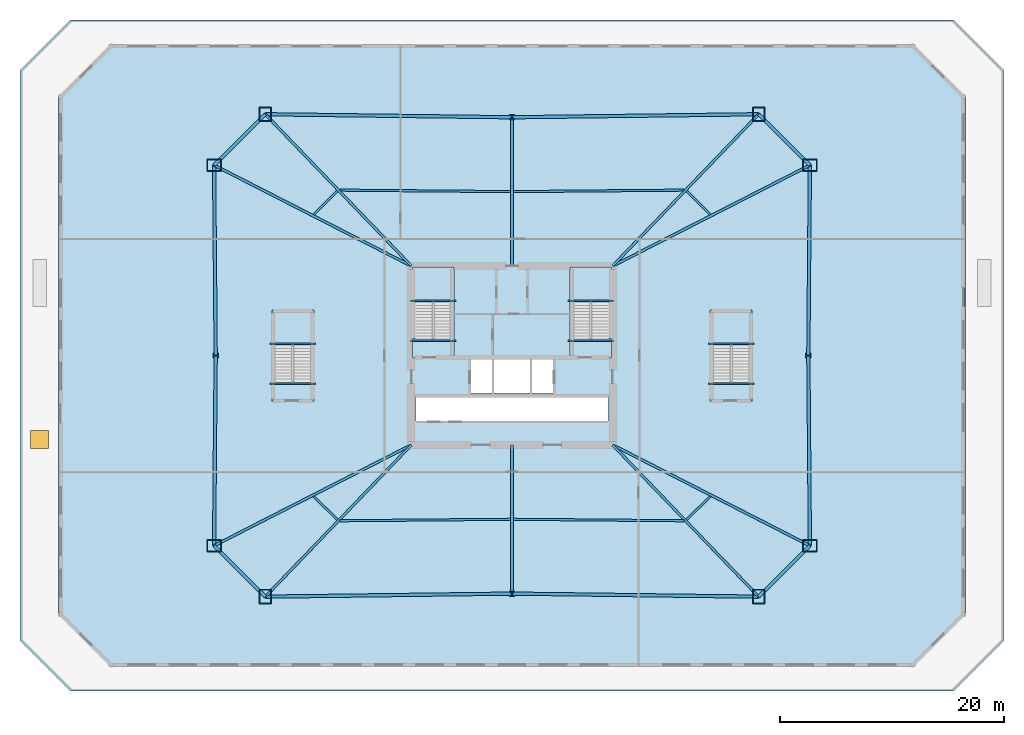
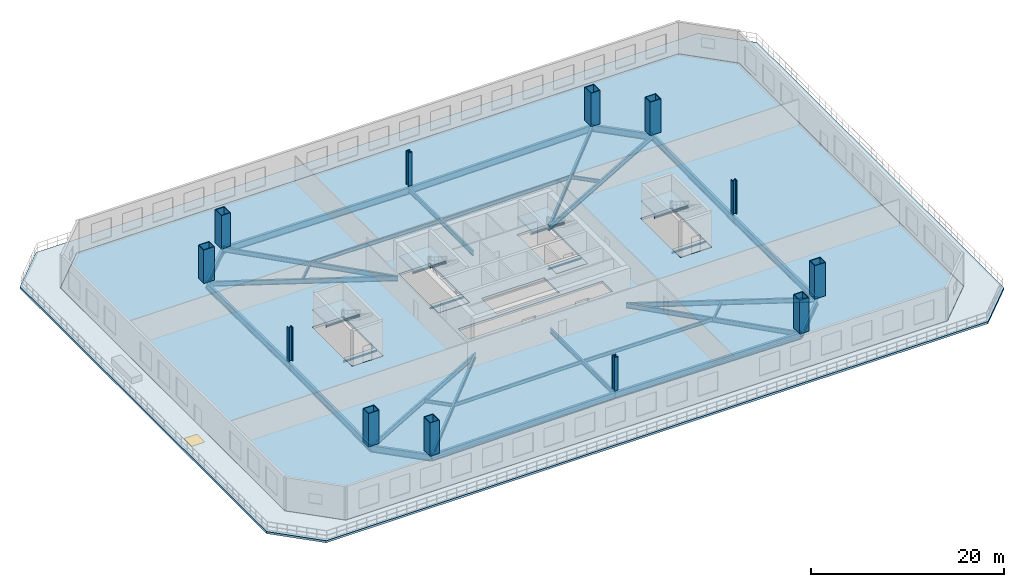
# One storey, part 1 of 9: 38 beams, 12 columns, 10 slabs, 1 window, 1 opening, 4 elements without a shape of their own.
"""IFC4 building model written with IfcOpenShell, lengths in metres."""

from ifc_helpers import new_model, si_unit, direction, frame, origin, origin_2d, place, context, subcontext, project, spatial, polyline, rectangle, hollow_rectangle, i_section, outline, extrude, material, layer, layer_set, material_profile, profile_set, type_object, element, fill, aggregate, save


model = new_model("IFC4")

# Units and contexts
model_context = context("Model", 3, precision=1e-05, world=origin(), true_north=direction((0.0, 1.0)))
body_context = subcontext(model_context, "Body", "Model", "MODEL_VIEW")
ifc_project = project(units=[si_unit("LENGTHUNIT", "METRE"), si_unit("AREAUNIT", "SQUARE_METRE"), si_unit("VOLUMEUNIT", "CUBIC_METRE"), si_unit("PLANEANGLEUNIT", "RADIAN"), si_unit("MASSUNIT", "GRAM", prefix="KILO")], contexts=[model_context])

# Site, building, storey
site_placement = place(None, origin())
site = spatial("IfcSite", under=ifc_project, at=site_placement, CompositionType="ELEMENT")
building_placement = place(site_placement, origin())
building = spatial("IfcBuilding", under=site, at=building_placement, Name="Caelvoria Tower", CompositionType="ELEMENT")
storey_placement = place(building_placement, frame((0.0, 0.0, 5.0)))
storey = spatial("IfcBuildingStorey", under=building, at=storey_placement, Name="L01", CompositionType="ELEMENT", Elevation=5.0)

# Columns
ifc_material_1 = material(Name="Structural Steel ASTM A913 Gr.65", Category="steel")
ifc_material_profile_1 = material_profile(ifc_material_1, i_section(OverallWidth=0.43896484375, OverallDepth=0.513916015625, WebThickness=0.059814453125, FlangeThickness=0.096923828125, FilletRadius=0.02490234375, at=origin_2d()), Name="Structural Steel ASTM A913 Gr.65")
ifc_profile_set_1 = profile_set([ifc_material_profile_1], Name="W360X818 - Structural Steel ASTM A913 Gr.65")
column_type_1 = type_object("IfcColumnType", Name="Heavy Frame Column W360X818", PredefinedType="COLUMN", material=ifc_profile_set_1)
for number, where, z_axis, x_axis, name in (
    (1, (46.0, 10.699951171875, 0.0), (0.0, 0.0, 1.0), (1.0, 0.0, 0.0), "Perimeter Megaframe Column L01-P01"),
    (2, (72.5, 32.0, 0.0), (0.0, 0.0, 1.0), (0.0, 1.0, 0.0), "Perimeter Megaframe Column L01-P04"),
    (3, (46.0, 53.300048828125, 0.0), (0.0, 0.0, 1.0), (1.0, 0.0, 0.0), "Perimeter Megaframe Column L01-P07"),
    (4, (19.5, 32.0, 0.0), (0.0, 0.0, 1.0), (0.0, 1.0, 0.0), "Perimeter Megaframe Column L01-P10"),
):
    element("IfcColumn", number, at=place(storey_placement, frame(where, z_axis=z_axis, x_axis=x_axis)), inside=storey, type_object=column_type_1, Name=name, PredefinedType="COLUMN", context=body_context, shape_type="SweptSolid", body=[
        extrude(i_section(OverallWidth=0.43896484375, OverallDepth=0.513916015625, WebThickness=0.059814453125, FlangeThickness=0.096923828125, FilletRadius=0.02490234375, at=origin_2d()), origin(), (0.0, 0.0, 1.0), 4.218017578125),
    ])
ifc_material_2 = material(Name="Structural Steel ASTM A572 Gr.50", Category="steel")
ifc_material_profile_2 = material_profile(ifc_material_2, hollow_rectangle(XDim=1.10009765625, YDim=1.300048828125, WallThickness=0.070068359375, at=origin_2d()), Name="Structural Steel ASTM A572 Gr.50")
ifc_profile_set_2 = profile_set([ifc_material_profile_2], Name="BOX1300X1100X70 - Structural Steel ASTM A572 Gr.50")
column_type_2 = type_object("IfcColumnType", Name="Mega Box Column 1300x1100x70", PredefinedType="COLUMN", material=ifc_profile_set_2)
for number, where, z_axis, x_axis, name in (
    (5, (23.943359375, 10.42919921875, 0.0), (0.0, 0.0, 1.0), (1.0, 0.0, 0.0), "Perimeter Megaframe Column L01-P00"),
    (6, (68.056640625, 10.42919921875, 0.0), (0.0, 0.0, 1.0), (1.0, 0.0, 0.0), "Perimeter Megaframe Column L01-P02"),
    (7, (72.6416015625, 14.984375, 0.0), (0.0, 0.0, 1.0), (0.0, 1.0, 0.0), "Perimeter Megaframe Column L01-P03"),
    (8, (72.6416015625, 49.015625, 0.0), (0.0, 0.0, 1.0), (0.0, 1.0, 0.0), "Perimeter Megaframe Column L01-P05"),
    (9, (68.056640625, 53.57080078125, 0.0), (0.0, 0.0, 1.0), (1.0, 0.0, 0.0), "Perimeter Megaframe Column L01-P06"),
    (10, (23.943359375, 53.57080078125, 0.0), (0.0, 0.0, 1.0), (1.0, 0.0, 0.0), "Perimeter Megaframe Column L01-P08"),
    (11, (19.3583984375, 49.015625, 0.0), (0.0, 0.0, 1.0), (0.0, 1.0, 0.0), "Perimeter Megaframe Column L01-P09"),
    (12, (19.3583984375, 14.984375, 0.0), (0.0, 0.0, 1.0), (0.0, 1.0, 0.0), "Perimeter Megaframe Column L01-P11"),
):
    element("IfcColumn", number, at=place(storey_placement, frame(where, z_axis=z_axis, x_axis=x_axis)), inside=storey, type_object=column_type_2, Name=name, PredefinedType="COLUMN", context=body_context, shape_type="SweptSolid", body=[
        extrude(hollow_rectangle(XDim=1.10009765625, YDim=1.300048828125, WallThickness=0.070068359375, at=origin_2d()), origin(), (0.0, 0.0, 1.0), 4.218017578125),
    ])

# Beams
ifc_material_3 = material(Name="Structural Steel ASTM A992 Gr.50", Category="steel")
ifc_material_profile_3 = material_profile(ifc_material_3, i_section(OverallWidth=0.134033203125, OverallDepth=0.2099609375, WebThickness=0.00634765625, FlangeThickness=0.01025390625, FilletRadius=0.010009765625, at=origin_2d()), Name="Structural Steel ASTM A992 Gr.50")
ifc_profile_set_3 = profile_set([ifc_material_profile_3], Name="W200X31.3 - Structural Steel ASTM A992 Gr.50")
beam_type_1 = type_object("IfcBeamType", Name="Canopy Edge Trim Beam W200X31.3", PredefinedType="BEAM", material=ifc_profile_set_3)
for number, where, z_axis, x_axis, name in (
    (13, (36.929931640625, 36.89990234375, 1.945068359375), (1.0, 0.0, 0.0), (0.0, 1.0, 0.0), "ST-01 Half-Landing Support Beam L01"),
    (14, (36.929931640625, 33.300048828125, -0.304931640625), (1.0, 0.0, 0.0), (0.0, 1.0, 0.0), "ST-01 Floor-Landing Support Beam L01"),
    (15, (51.030029296875, 36.89990234375, 1.945068359375), (1.0, 0.0, 0.0), (0.0, 1.0, 0.0), "ST-02 Half-Landing Support Beam L01"),
    (16, (51.030029296875, 33.300048828125, -0.304931640625), (1.0, 0.0, 0.0), (0.0, 1.0, 0.0), "ST-02 Floor-Landing Support Beam L01"),
    (17, (24.3798828125, 33.050048828125, 1.945068359375), (1.0, 0.0, 0.0), (0.0, 1.0, 0.0), "ST-03 Half-Landing Support Beam L01"),
    (18, (24.3798828125, 29.449951171875, -0.304931640625), (1.0, 0.0, 0.0), (0.0, 1.0, 0.0), "ST-03 Floor-Landing Support Beam L01"),
    (19, (63.580078125, 33.050048828125, 1.945068359375), (1.0, 0.0, 0.0), (0.0, 1.0, 0.0), "ST-04 Half-Landing Support Beam L01"),
    (20, (63.580078125, 29.449951171875, -0.304931640625), (1.0, 0.0, 0.0), (0.0, 1.0, 0.0), "ST-04 Floor-Landing Support Beam L01"),
):
    element("IfcBeam", number, at=place(storey_placement, frame(where, z_axis=z_axis, x_axis=x_axis)), inside=storey, type_object=beam_type_1, Name=name, PredefinedType="BEAM", context=body_context, shape_type="SweptSolid", body=[
        extrude(i_section(OverallWidth=0.134033203125, OverallDepth=0.2099609375, WebThickness=0.00634765625, FlangeThickness=0.01025390625, FilletRadius=0.010009765625, at=origin_2d()), origin(), (0.0, 0.0, 1.0), 4.0400390625),
    ])
ifc_material_profile_4 = material_profile(ifc_material_3, i_section(OverallWidth=0.2939453125, OverallDepth=0.85107421875, WebThickness=0.01611328125, FlangeThickness=0.02685546875, FilletRadius=0.02197265625, at=origin_2d()), Name="Structural Steel ASTM A992 Gr.50")
ifc_profile_set_4 = profile_set([ifc_material_profile_4], Name="W840X226 - Structural Steel ASTM A992 Gr.50")
beam_type_2 = type_object("IfcBeamType", Name="Podium Long-Span Girder W840X226", PredefinedType="BEAM", material=ifc_profile_set_4)
for number, where, z_axis, x_axis, name in (
    (21, (23.943359375, 10.42919921875, -0.70556640625), (0.999924666978, 0.01227437855, 0.0), (-0.01227437855, 0.999924666978, 0.0), "Perimeter Spandrel Girder L01-00"),
    (22, (46.0, 10.699951171875, -0.70556640625), (0.999924666978, -0.01227437855, 0.0), (0.01227437855, 0.999924666978, 0.0), "Perimeter Spandrel Girder L01-01"),
):
    element("IfcBeam", number, at=place(storey_placement, frame(where, z_axis=z_axis, x_axis=x_axis)), inside=storey, type_object=beam_type_2, Name=name, PredefinedType="BEAM", context=body_context, shape_type="SweptSolid", body=[
        extrude(i_section(OverallWidth=0.2939453125, OverallDepth=0.85107421875, WebThickness=0.01611328125, FlangeThickness=0.02685546875, FilletRadius=0.02197265625, at=origin_2d()), origin(), (0.0, 0.0, 1.0), 22.058349609375),
    ])
beam_1_placement = place(storey_placement, frame((68.056640625, 10.42919921875, -0.70556640625), z_axis=(0.709407278283, 0.704798775197, 0.0), x_axis=(-0.704798775197, 0.709407278283, 0.0)))
element("IfcBeam", 23, at=beam_1_placement, inside=storey, type_object=beam_type_2, Name="Perimeter Spandrel Girder L01-02", PredefinedType="BEAM", context=body_context, shape_type="SweptSolid", body=[
    extrude(i_section(OverallWidth=0.2939453125, OverallDepth=0.85107421875, WebThickness=0.01611328125, FlangeThickness=0.02685546875, FilletRadius=0.02197265625, at=origin_2d()), origin(), (0.0, 0.0, 1.0), 6.463134765625),
])
for number, where, z_axis, x_axis, name in (
    (24, (72.6416015625, 14.984375, -0.70556640625), (-0.00832156677, 0.999965375164, 0.0), (-0.999965375164, -0.00832156677, 0.0), "Perimeter Spandrel Girder L01-03"),
    (25, (72.5, 32.0, -0.70556640625), (0.00832156677, 0.999965375164, 0.0), (-0.999965375164, 0.00832156677, 0.0), "Perimeter Spandrel Girder L01-04"),
):
    element("IfcBeam", number, at=place(storey_placement, frame(where, z_axis=z_axis, x_axis=x_axis)), inside=storey, type_object=beam_type_2, Name=name, PredefinedType="BEAM", context=body_context, shape_type="SweptSolid", body=[
        extrude(i_section(OverallWidth=0.2939453125, OverallDepth=0.85107421875, WebThickness=0.01611328125, FlangeThickness=0.02685546875, FilletRadius=0.02197265625, at=origin_2d()), origin(), (0.0, 0.0, 1.0), 17.01611328125),
    ])
beam_2_placement = place(storey_placement, frame((72.6416015625, 49.015625, -0.70556640625), z_axis=(-0.709407278283, 0.704798775197, 0.0), x_axis=(-0.704798775197, -0.709407278283, 0.0)))
element("IfcBeam", 26, at=beam_2_placement, inside=storey, type_object=beam_type_2, Name="Perimeter Spandrel Girder L01-05", PredefinedType="BEAM", context=body_context, shape_type="SweptSolid", body=[
    extrude(i_section(OverallWidth=0.2939453125, OverallDepth=0.85107421875, WebThickness=0.01611328125, FlangeThickness=0.02685546875, FilletRadius=0.02197265625, at=origin_2d()), origin(), (0.0, 0.0, 1.0), 6.463134765625),
])
for number, where, z_axis, x_axis, name in (
    (27, (68.056640625, 53.57080078125, -0.70556640625), (-0.999924666978, -0.01227437855, 0.0), (0.01227437855, -0.999924666978, 0.0), "Perimeter Spandrel Girder L01-06"),
    (28, (46.0, 53.300048828125, -0.70556640625), (-0.999924666978, 0.01227437855, 0.0), (-0.01227437855, -0.999924666978, 0.0), "Perimeter Spandrel Girder L01-07"),
):
    element("IfcBeam", number, at=place(storey_placement, frame(where, z_axis=z_axis, x_axis=x_axis)), inside=storey, type_object=beam_type_2, Name=name, PredefinedType="BEAM", context=body_context, shape_type="SweptSolid", body=[
        extrude(i_section(OverallWidth=0.2939453125, OverallDepth=0.85107421875, WebThickness=0.01611328125, FlangeThickness=0.02685546875, FilletRadius=0.02197265625, at=origin_2d()), origin(), (0.0, 0.0, 1.0), 22.058349609375),
    ])
beam_3_placement = place(storey_placement, frame((23.943359375, 53.57080078125, -0.70556640625), z_axis=(-0.709407278283, -0.704798775197, 0.0), x_axis=(0.704798775197, -0.709407278283, 0.0)))
element("IfcBeam", 29, at=beam_3_placement, inside=storey, type_object=beam_type_2, Name="Perimeter Spandrel Girder L01-08", PredefinedType="BEAM", context=body_context, shape_type="SweptSolid", body=[
    extrude(i_section(OverallWidth=0.2939453125, OverallDepth=0.85107421875, WebThickness=0.01611328125, FlangeThickness=0.02685546875, FilletRadius=0.02197265625, at=origin_2d()), origin(), (0.0, 0.0, 1.0), 6.463134765625),
])
for number, where, z_axis, x_axis, name in (
    (30, (19.3583984375, 49.015625, -0.70556640625), (0.00832156677, -0.999965375164, 0.0), (0.999965375164, 0.00832156677, 0.0), "Perimeter Spandrel Girder L01-09"),
    (31, (19.5, 32.0, -0.70556640625), (-0.00832156677, -0.999965375164, 0.0), (0.999965375164, -0.00832156677, 0.0), "Perimeter Spandrel Girder L01-10"),
):
    element("IfcBeam", number, at=place(storey_placement, frame(where, z_axis=z_axis, x_axis=x_axis)), inside=storey, type_object=beam_type_2, Name=name, PredefinedType="BEAM", context=body_context, shape_type="SweptSolid", body=[
        extrude(i_section(OverallWidth=0.2939453125, OverallDepth=0.85107421875, WebThickness=0.01611328125, FlangeThickness=0.02685546875, FilletRadius=0.02197265625, at=origin_2d()), origin(), (0.0, 0.0, 1.0), 17.01611328125),
    ])
beam_4_placement = place(storey_placement, frame((19.3583984375, 14.984375, -0.70556640625), z_axis=(0.709407278283, -0.704798775197, 0.0), x_axis=(0.704798775197, 0.709407278283, 0.0)))
element("IfcBeam", 32, at=beam_4_placement, inside=storey, type_object=beam_type_2, Name="Perimeter Spandrel Girder L01-11", PredefinedType="BEAM", context=body_context, shape_type="SweptSolid", body=[
    extrude(i_section(OverallWidth=0.2939453125, OverallDepth=0.85107421875, WebThickness=0.01611328125, FlangeThickness=0.02685546875, FilletRadius=0.02197265625, at=origin_2d()), origin(), (0.0, 0.0, 1.0), 6.463134765625),
])
ifc_material_profile_5 = material_profile(ifc_material_3, i_section(OverallWidth=0.22900390625, OverallDepth=0.612060546875, WebThickness=0.011962890625, FlangeThickness=0.01953125, FilletRadius=0.01806640625, at=origin_2d()), Name="Structural Steel ASTM A992 Gr.50")
ifc_profile_set_5 = profile_set([ifc_material_profile_5], Name="W610X125 - Structural Steel ASTM A992 Gr.50")
beam_type_3 = type_object("IfcBeamType", Name="Primary Radial Floor Girder W610X125", PredefinedType="BEAM", material=ifc_profile_set_5)
beam_5_placement = place(storey_placement, frame((37.0, 24.0, -0.5859375), z_axis=(-0.69332372519, -0.720626263807, 0.0), x_axis=(0.720626263807, -0.69332372519, 0.0)))
element("IfcBeam", 33, at=beam_5_placement, inside=storey, type_object=beam_type_3, Name="Primary Floor Girder L01-00", PredefinedType="BEAM", context=body_context, shape_type="SweptSolid", body=[
    extrude(i_section(OverallWidth=0.22900390625, OverallDepth=0.612060546875, WebThickness=0.011962890625, FlangeThickness=0.01953125, FilletRadius=0.01806640625, at=origin_2d()), origin(), (0.0, 0.0, 1.0), 18.83203125),
])
beam_6_placement = place(storey_placement, frame((46.0, 24.0, -0.5859375), z_axis=(0.0, -1.0, 0.0), x_axis=(1.0, 0.0, 0.0)))
element("IfcBeam", 34, at=beam_6_placement, inside=storey, type_object=beam_type_3, Name="Primary Floor Girder L01-01", PredefinedType="BEAM", context=body_context, shape_type="SweptSolid", body=[
    extrude(i_section(OverallWidth=0.22900390625, OverallDepth=0.612060546875, WebThickness=0.011962890625, FlangeThickness=0.01953125, FilletRadius=0.01806640625, at=origin_2d()), origin(), (0.0, 0.0, 1.0), 13.300048828125),
])
beam_7_placement = place(storey_placement, frame((55.0, 24.0, -0.5859375), z_axis=(0.69332372519, -0.720626263807, 0.0), x_axis=(0.720626263807, 0.69332372519, 0.0)))
element("IfcBeam", 35, at=beam_7_placement, inside=storey, type_object=beam_type_3, Name="Primary Floor Girder L01-02", PredefinedType="BEAM", context=body_context, shape_type="SweptSolid", body=[
    extrude(i_section(OverallWidth=0.22900390625, OverallDepth=0.612060546875, WebThickness=0.011962890625, FlangeThickness=0.01953125, FilletRadius=0.01806640625, at=origin_2d()), origin(), (0.0, 0.0, 1.0), 18.83203125),
])
for number, where, z_axis, x_axis, name in (
    (36, (55.0, 24.0, -0.5859375), (0.890459095292, -0.455063291876, 0.0), (0.455063291876, 0.890459095292, 0.0), "Primary Floor Girder L01-03"),
    (37, (55.0, 40.0, -0.5859375), (0.890459095292, 0.455063291876, 0.0), (-0.455063291876, 0.890459095292, 0.0), "Primary Floor Girder L01-05"),
):
    element("IfcBeam", number, at=place(storey_placement, frame(where, z_axis=z_axis, x_axis=x_axis)), inside=storey, type_object=beam_type_3, Name=name, PredefinedType="BEAM", context=body_context, shape_type="SweptSolid", body=[
        extrude(i_section(OverallWidth=0.22900390625, OverallDepth=0.612060546875, WebThickness=0.011962890625, FlangeThickness=0.01953125, FilletRadius=0.01806640625, at=origin_2d()), origin(), (0.0, 0.0, 1.0), 19.811767578125),
    ])
beam_8_placement = place(storey_placement, frame((55.0, 40.0, -0.5859375), z_axis=(0.69332372519, 0.720626263807, 0.0), x_axis=(-0.720626263807, 0.69332372519, 0.0)))
element("IfcBeam", 38, at=beam_8_placement, inside=storey, type_object=beam_type_3, Name="Primary Floor Girder L01-06", PredefinedType="BEAM", context=body_context, shape_type="SweptSolid", body=[
    extrude(i_section(OverallWidth=0.22900390625, OverallDepth=0.612060546875, WebThickness=0.011962890625, FlangeThickness=0.01953125, FilletRadius=0.01806640625, at=origin_2d()), origin(), (0.0, 0.0, 1.0), 18.83203125),
])
beam_9_placement = place(storey_placement, frame((46.0, 40.0, -0.5859375), z_axis=(0.0, 1.0, 0.0), x_axis=(-1.0, 0.0, 0.0)))
element("IfcBeam", 39, at=beam_9_placement, inside=storey, type_object=beam_type_3, Name="Primary Floor Girder L01-07", PredefinedType="BEAM", context=body_context, shape_type="SweptSolid", body=[
    extrude(i_section(OverallWidth=0.22900390625, OverallDepth=0.612060546875, WebThickness=0.011962890625, FlangeThickness=0.01953125, FilletRadius=0.01806640625, at=origin_2d()), origin(), (0.0, 0.0, 1.0), 13.300048828125),
])
beam_10_placement = place(storey_placement, frame((37.0, 40.0, -0.5859375), z_axis=(-0.69332372519, 0.720626263807, 0.0), x_axis=(-0.720626263807, -0.69332372519, 0.0)))
element("IfcBeam", 40, at=beam_10_placement, inside=storey, type_object=beam_type_3, Name="Primary Floor Girder L01-08", PredefinedType="BEAM", context=body_context, shape_type="SweptSolid", body=[
    extrude(i_section(OverallWidth=0.22900390625, OverallDepth=0.612060546875, WebThickness=0.011962890625, FlangeThickness=0.01953125, FilletRadius=0.01806640625, at=origin_2d()), origin(), (0.0, 0.0, 1.0), 18.83203125),
])
for number, where, z_axis, x_axis, name in (
    (41, (37.0, 40.0, -0.5859375), (-0.890459095292, 0.455063291876, 0.0), (-0.455063291876, -0.890459095292, 0.0), "Primary Floor Girder L01-09"),
    (42, (37.0, 24.0, -0.5859375), (-0.890459095292, -0.455063291876, 0.0), (0.455063291876, -0.890459095292, 0.0), "Primary Floor Girder L01-11"),
):
    element("IfcBeam", number, at=place(storey_placement, frame(where, z_axis=z_axis, x_axis=x_axis)), inside=storey, type_object=beam_type_3, Name=name, PredefinedType="BEAM", context=body_context, shape_type="SweptSolid", body=[
        extrude(i_section(OverallWidth=0.22900390625, OverallDepth=0.612060546875, WebThickness=0.011962890625, FlangeThickness=0.01953125, FilletRadius=0.01806640625, at=origin_2d()), origin(), (0.0, 0.0, 1.0), 19.811767578125),
    ])
ifc_material_profile_6 = material_profile(ifc_material_3, i_section(OverallWidth=0.18994140625, OverallDepth=0.45703125, WebThickness=0.009033203125, FlangeThickness=0.014404296875, FilletRadius=0.014892578125, at=origin_2d()), Name="Structural Steel ASTM A992 Gr.50")
ifc_profile_set_6 = profile_set([ifc_material_profile_6], Name="W460X74 - Structural Steel ASTM A992 Gr.50")
beam_type_4 = type_object("IfcBeamType", Name="Secondary Floor Beam W460X74", PredefinedType="BEAM", material=ifc_profile_set_6)
for number, where, z_axis, x_axis, name in (
    (43, (30.5966796875, 17.2158203125, -0.508544921875), (0.9999620801, 0.00870852243, 0.0), (-0.00870852243, 0.9999620801, 0.0), "Secondary Floor Beam L01-00"),
    (44, (46.125, 17.348876953125, -0.508544921875), (0.9999620801, -0.00870852243, 0.0), (0.00870852243, 0.9999620801, 0.0), "Secondary Floor Beam L01-01"),
):
    element("IfcBeam", number, at=place(storey_placement, frame(where, z_axis=z_axis, x_axis=x_axis)), inside=storey, type_object=beam_type_4, Name=name, PredefinedType="BEAM", context=body_context, shape_type="SweptSolid", body=[
        extrude(i_section(OverallWidth=0.18994140625, OverallDepth=0.45703125, WebThickness=0.009033203125, FlangeThickness=0.014404296875, FilletRadius=0.014892578125, at=origin_2d()), origin(), (0.0, 0.0, 1.0), 15.27880859375),
    ])
for number, where, z_axis, x_axis, name in (
    (45, (61.616943359375, 17.302734375, -0.508544921875), (0.709395928351, 0.704810199159, 0.0), (-0.704810199159, 0.709395928351, 0.0), "Secondary Floor Beam L01-02"),
    (46, (63.73193359375, 44.595947265625, -0.508544921875), (-0.709395928351, 0.704810199159, 0.0), (-0.704810199159, -0.709395928351, 0.0), "Secondary Floor Beam L01-05"),
):
    element("IfcBeam", number, at=place(storey_placement, frame(where, z_axis=z_axis, x_axis=x_axis)), inside=storey, type_object=beam_type_4, Name=name, PredefinedType="BEAM", context=body_context, shape_type="SweptSolid", body=[
        extrude(i_section(OverallWidth=0.18994140625, OverallDepth=0.45703125, WebThickness=0.009033203125, FlangeThickness=0.014404296875, FilletRadius=0.014892578125, at=origin_2d()), origin(), (0.0, 0.0, 1.0), 2.9814453125),
    ])
for number, where, z_axis, x_axis, name in (
    (47, (61.4033203125, 46.7841796875, -0.508544921875), (-0.9999620801, -0.00870852243, 0.0), (0.00870852243, -0.9999620801, 0.0), "Secondary Floor Beam L01-06"),
    (48, (45.875, 46.651123046875, -0.508544921875), (-0.9999620801, 0.00870852243, 0.0), (-0.00870852243, -0.9999620801, 0.0), "Secondary Floor Beam L01-07"),
):
    element("IfcBeam", number, at=place(storey_placement, frame(where, z_axis=z_axis, x_axis=x_axis)), inside=storey, type_object=beam_type_4, Name=name, PredefinedType="BEAM", context=body_context, shape_type="SweptSolid", body=[
        extrude(i_section(OverallWidth=0.18994140625, OverallDepth=0.45703125, WebThickness=0.009033203125, FlangeThickness=0.014404296875, FilletRadius=0.014892578125, at=origin_2d()), origin(), (0.0, 0.0, 1.0), 15.27880859375),
    ])
for number, where, z_axis, x_axis, name in (
    (49, (30.383056640625, 46.697265625, -0.508544921875), (-0.709436603289, -0.704769257214, 0.0), (0.704769257214, -0.709436603289, 0.0), "Secondary Floor Beam L01-08"),
    (50, (28.267822265625, 19.404052734375, -0.508544921875), (0.709436603289, -0.704769257214, 0.0), (0.704769257214, 0.709436603289, 0.0), "Secondary Floor Beam L01-11"),
):
    element("IfcBeam", number, at=place(storey_placement, frame(where, z_axis=z_axis, x_axis=x_axis)), inside=storey, type_object=beam_type_4, Name=name, PredefinedType="BEAM", context=body_context, shape_type="SweptSolid", body=[
        extrude(i_section(OverallWidth=0.18994140625, OverallDepth=0.45703125, WebThickness=0.009033203125, FlangeThickness=0.014404296875, FilletRadius=0.014892578125, at=origin_2d()), origin(), (0.0, 0.0, 1.0), 2.981689453125),
    ])

# Slab
ifc_material_4 = material(Name="Concrete C40/50", Category="concrete")
ifc_layer_1 = layer(ifc_material_4, 0.280029296875, Name="Concrete C40/50")
ifc_layer_set_1 = layer_set([ifc_layer_1], Name="Lower Podium Commercial Slab 280 - Concrete C40/50")
slab_type_1 = type_object("IfcSlabType", Name="Lower Podium Commercial Slab 280", PredefinedType="FLOOR", material=ifc_layer_set_1)
slab_1_placement = place(storey_placement, frame((0.0, 0.0, -0.280029296875)))
element("IfcSlab", 51, at=slab_1_placement, inside=storey, type_object=slab_type_1, Name="Level L01 Structural Floor Slab", PredefinedType="FLOOR", context=body_context, shape_type="SweptSolid", body=[
    extrude(outline(polyline([(10.10009765625, 4.199951171875), (81.89990234375, 4.199951171875), (86.5, 8.800048828125), (86.5, 55.199951171875), (81.89990234375, 59.800048828125), (10.10009765625, 59.800048828125), (5.5, 55.199951171875), (5.5, 8.800048828125), (10.10009765625, 4.199951171875)]), holes=[polyline([(37.080078125, 31.75), (40.820068359375, 31.75), (40.820068359375, 39.919921875), (37.080078125, 39.919921875), (37.080078125, 31.75)]), polyline([(51.179931640625, 31.75), (54.919921875, 31.75), (54.919921875, 39.919921875), (51.179931640625, 39.919921875), (51.179931640625, 31.75)]), polyline([(42.25, 28.64990234375), (49.75, 28.64990234375), (49.75, 31.800048828125), (42.25, 31.800048828125), (42.25, 28.64990234375)]), polyline([(24.52001953125, 27.89990234375), (28.280029296875, 27.89990234375), (28.280029296875, 36.080078125), (24.52001953125, 36.080078125), (24.52001953125, 27.89990234375)]), polyline([(63.719970703125, 27.89990234375), (67.47998046875, 27.89990234375), (67.47998046875, 36.080078125), (63.719970703125, 36.080078125), (63.719970703125, 27.89990234375)]), polyline([(37.39990234375, 26.14990234375), (54.60009765625, 26.14990234375), (54.60009765625, 28.25), (37.39990234375, 28.25), (37.39990234375, 26.14990234375)])]), origin(), (0.0, 0.0, 1.0), 0.280029296875),
])

# Stair, slabs
stair_type = type_object("IfcStairType", Name="Core Smokeproof Dogleg Stair Concrete C40/50", PredefinedType="HALF_TURN_STAIR", material=ifc_material_4)
stair_1_placement = place(storey_placement, origin())
stair_1 = element("IfcStair", 52, at=stair_1_placement, inside=storey, type_object=stair_type, Name="ST-01 Smokeproof Exit Stair L01", PredefinedType="HALF_TURN_STAIR")
ifc_layer_2 = layer(ifc_material_4, 0.199951171875, Name="Concrete C40/50")
ifc_layer_set_2 = layer_set([ifc_layer_2], Name="Stair Half and Floor Landing Slab 200 Concrete C40/50 - Concrete C40/50")
slab_type_2 = type_object("IfcSlabType", Name="Stair Half and Floor Landing Slab 200 Concrete C40/50", PredefinedType="LANDING", material=ifc_layer_set_2)
slab_2_placement = place(storey_placement, frame((0.0, 0.0, -0.199951171875)))
slab_2 = element("IfcSlab", 53, at=slab_2_placement, type_object=slab_type_2, Name="ST-01 landing 1", PredefinedType="LANDING", context=body_context, shape_type="SweptSolid", body=[
    extrude(outline(polyline([(37.10009765625, 31.77001953125), (40.800048828125, 31.77001953125), (40.800048828125, 33.5), (37.10009765625, 33.5), (37.10009765625, 31.77001953125)])), origin(), (0.0, 0.0, 1.0), 0.199951171875),
])
slab_3_placement = place(storey_placement, frame((0.0, 0.0, 2.050048828125)))
slab_3 = element("IfcSlab", 54, at=slab_3_placement, type_object=slab_type_2, Name="ST-01 landing 2", PredefinedType="LANDING", context=body_context, shape_type="SweptSolid", body=[
    extrude(outline(polyline([(37.10009765625, 36.699951171875), (40.800048828125, 36.699951171875), (40.800048828125, 39.89990234375), (37.10009765625, 39.89990234375), (37.10009765625, 36.699951171875)])), origin(), (0.0, 0.0, 1.0), 0.199951171875),
])
aggregate(stair_1, [slab_2, slab_3])

stair_2_placement = place(storey_placement, origin())
stair_2 = element("IfcStair", 55, at=stair_2_placement, inside=storey, type_object=stair_type, Name="ST-02 Smokeproof Exit Stair L01", PredefinedType="HALF_TURN_STAIR")
slab_4_placement = place(storey_placement, frame((0.0, 0.0, -0.199951171875)))
slab_4 = element("IfcSlab", 56, at=slab_4_placement, type_object=slab_type_2, Name="ST-02 landing 1", PredefinedType="LANDING", context=body_context, shape_type="SweptSolid", body=[
    extrude(outline(polyline([(51.199951171875, 31.77001953125), (54.89990234375, 31.77001953125), (54.89990234375, 33.5), (51.199951171875, 33.5), (51.199951171875, 31.77001953125)])), origin(), (0.0, 0.0, 1.0), 0.199951171875),
])
slab_5_placement = place(storey_placement, frame((0.0, 0.0, 2.050048828125)))
slab_5 = element("IfcSlab", 57, at=slab_5_placement, type_object=slab_type_2, Name="ST-02 landing 2", PredefinedType="LANDING", context=body_context, shape_type="SweptSolid", body=[
    extrude(outline(polyline([(51.199951171875, 36.699951171875), (54.89990234375, 36.699951171875), (54.89990234375, 39.89990234375), (51.199951171875, 39.89990234375), (51.199951171875, 36.699951171875)])), origin(), (0.0, 0.0, 1.0), 0.199951171875),
])
aggregate(stair_2, [slab_4, slab_5])

stair_3_placement = place(storey_placement, origin())
stair_3 = element("IfcStair", 58, at=stair_3_placement, inside=storey, type_object=stair_type, Name="ST-03 Smokeproof Exit Stair L01", PredefinedType="HALF_TURN_STAIR")
slab_6_placement = place(storey_placement, frame((0.0, 0.0, -0.199951171875)))
slab_6 = element("IfcSlab", 59, at=slab_6_placement, type_object=slab_type_2, Name="ST-03 landing 1", PredefinedType="LANDING", context=body_context, shape_type="SweptSolid", body=[
    extrude(outline(polyline([(24.550048828125, 27.919921875), (28.25, 27.919921875), (28.25, 29.64990234375), (24.550048828125, 29.64990234375), (24.550048828125, 27.919921875)])), origin(), (0.0, 0.0, 1.0), 0.199951171875),
])
slab_7_placement = place(storey_placement, frame((0.0, 0.0, 2.050048828125)))
slab_7 = element("IfcSlab", 60, at=slab_7_placement, type_object=slab_type_2, Name="ST-03 landing 2", PredefinedType="LANDING", context=body_context, shape_type="SweptSolid", body=[
    extrude(outline(polyline([(24.550048828125, 32.85009765625), (28.25, 32.85009765625), (28.25, 36.050048828125), (24.550048828125, 36.050048828125), (24.550048828125, 32.85009765625)])), origin(), (0.0, 0.0, 1.0), 0.199951171875),
])
aggregate(stair_3, [slab_6, slab_7])

stair_4_placement = place(storey_placement, origin())
stair_4 = element("IfcStair", 61, at=stair_4_placement, inside=storey, type_object=stair_type, Name="ST-04 Smokeproof Exit Stair L01", PredefinedType="HALF_TURN_STAIR")
slab_8_placement = place(storey_placement, frame((0.0, 0.0, -0.199951171875)))
slab_8 = element("IfcSlab", 62, at=slab_8_placement, type_object=slab_type_2, Name="ST-04 landing 1", PredefinedType="LANDING", context=body_context, shape_type="SweptSolid", body=[
    extrude(outline(polyline([(63.75, 27.919921875), (67.449951171875, 27.919921875), (67.449951171875, 29.64990234375), (63.75, 29.64990234375), (63.75, 27.919921875)])), origin(), (0.0, 0.0, 1.0), 0.199951171875),
])
slab_9_placement = place(storey_placement, frame((0.0, 0.0, 2.050048828125)))
slab_9 = element("IfcSlab", 63, at=slab_9_placement, type_object=slab_type_2, Name="ST-04 landing 2", PredefinedType="LANDING", context=body_context, shape_type="SweptSolid", body=[
    extrude(outline(polyline([(63.75, 32.85009765625), (67.449951171875, 32.85009765625), (67.449951171875, 36.050048828125), (63.75, 36.050048828125), (63.75, 32.85009765625)])), origin(), (0.0, 0.0, 1.0), 0.199951171875),
])
aggregate(stair_4, [slab_8, slab_9])

# Slab, opening, window
ifc_layer_3 = layer(ifc_material_4, 0.260009765625, Name="Concrete C40/50")
ifc_layer_set_3 = layer_set([ifc_layer_3], Name="Terraced Podium Roof Garden Slab 260 - Concrete C40/50")
slab_type_3 = type_object("IfcSlabType", Name="Terraced Podium Roof Garden Slab 260", PredefinedType="ROOF", material=ifc_layer_set_3)
slab_10_placement = place(storey_placement, frame((0.0, 0.0, -0.260009765625)))
slab_10 = element("IfcSlab", 64, at=slab_10_placement, inside=storey, type_object=slab_type_3, Name="Level L01 Terraced Podium Roof Deck", PredefinedType="ROOF", context=body_context, shape_type="SweptSolid", body=[
    extrude(outline(polyline([(6.5, 2.0), (85.5, 2.0), (90.0, 6.5), (90.0, 57.5), (85.5, 62.0), (6.5, 62.0), (2.0, 57.5), (2.0, 6.5), (6.5, 2.0)]), holes=[polyline([(10.084228515625, 4.187744140625), (81.915771484375, 4.187744140625), (86.517333984375, 8.7900390625), (86.517333984375, 55.2099609375), (81.915771484375, 59.812255859375), (10.084228515625, 59.812255859375), (5.482666015625, 55.2099609375), (5.482666015625, 8.7900390625), (10.084228515625, 4.187744140625)])]), origin(), (0.0, 0.0, 1.0), 0.260009765625),
])
opening_placement = place(slab_10_placement, frame((3.75, 24.5, 0.0)))
opening = element("IfcOpeningElement", 65, at=opening_placement, cuts=slab_10, Name="Opening SK-01", PredefinedType="OPENING", context=body_context, shape_type="SweptSolid", body=[
    extrude(rectangle(XDim=1.60009765625, YDim=1.60009765625, at=origin_2d()), origin(), (0.0, 0.0, 1.0), 0.260009765625),
])
ifc_material_5 = material(Name="Low-E Tinted Glass in Bronze Aluminium Frame", Category="aluminium")
window_type = type_object("IfcWindowType", Name="Podium Terrace Daylight Skylight 1800x1800", PartitioningType="SINGLE_PANEL", PredefinedType="SKYLIGHT", material=ifc_material_5)
window_placement = place(opening_placement, frame((0.0, 0.0, 0.2099609375)))
window = element("IfcWindow", 66, at=window_placement, inside=storey, type_object=window_type, Name="Podium Terrace Skylight L01", OverallHeight=1.60009765625, OverallWidth=1.60009765625, PartitioningType="SINGLE_PANEL", PredefinedType="SKYLIGHT", context=body_context, shape_type="SweptSolid", body=[
    extrude(rectangle(XDim=1.60009765625, YDim=1.60009765625, at=origin_2d()), origin(), (0.0, 0.0, 1.0), 0.050048828125),
])
fill(opening, window)

save(model, "model.ifc")
